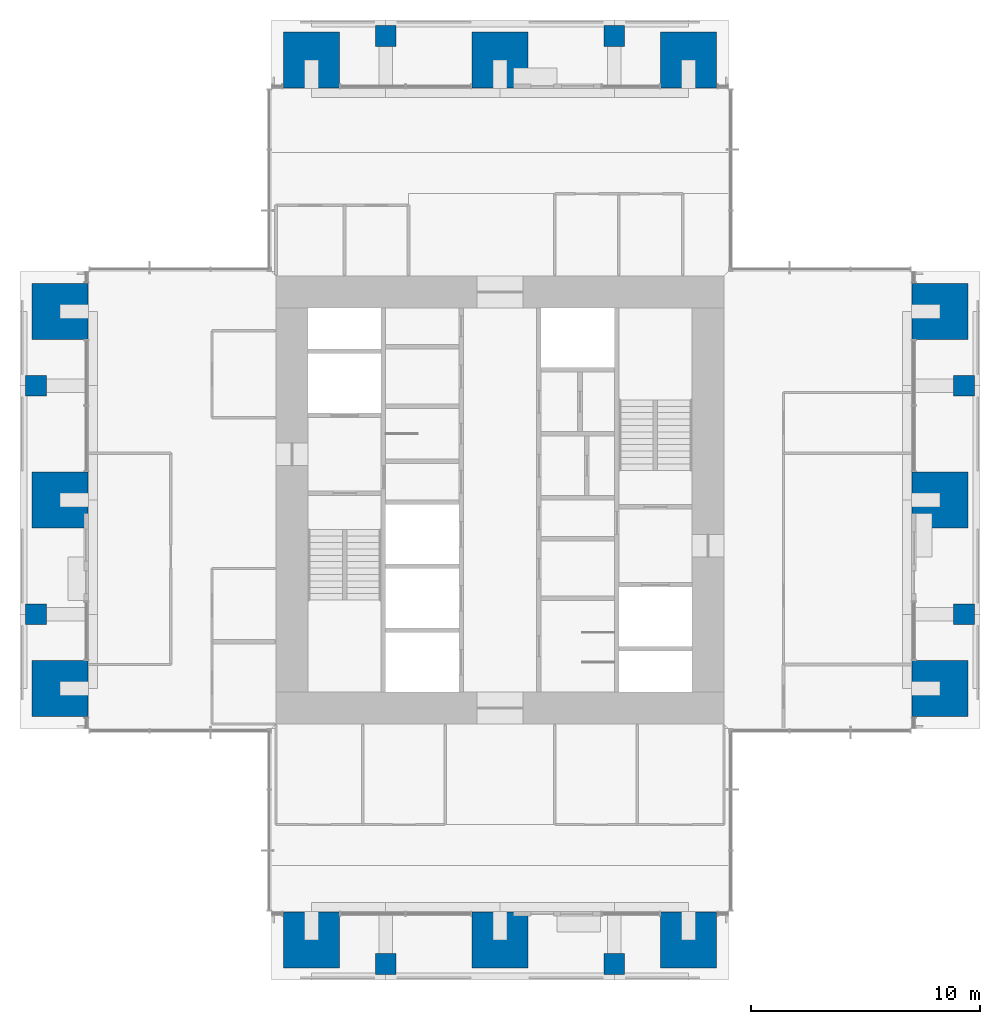
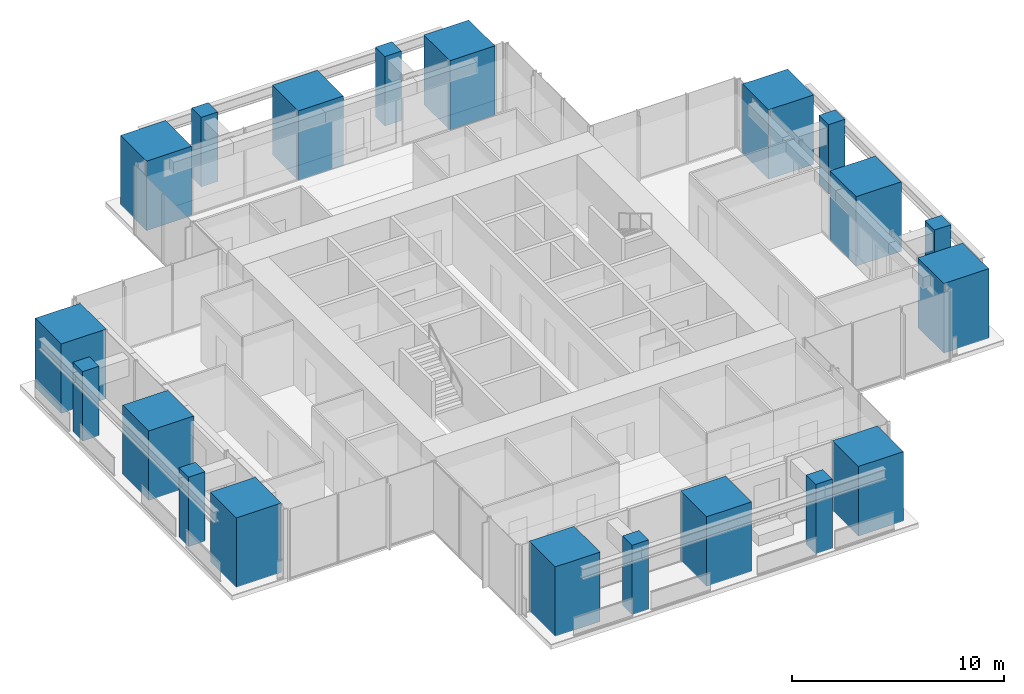
# One storey, part 1 of 17: 20 columns.
"""IFC4 building model written with IfcOpenShell, lengths in metres."""

from ifc_helpers import new_model, si_unit, direction, frame, origin, origin_2d, place, context, subcontext, project, spatial, rectangle, extrude, material, material_profile, profile_set, type_object, element, save


model = new_model("IFC4")

# Units and contexts
model_context = context("Model", 3, precision=1e-05, world=origin(), true_north=direction((0.0, 1.0)))
body_context = subcontext(model_context, "Body", "Model", "MODEL_VIEW")
ifc_project = project(units=[si_unit("LENGTHUNIT", "METRE"), si_unit("AREAUNIT", "SQUARE_METRE"), si_unit("VOLUMEUNIT", "CUBIC_METRE"), si_unit("PLANEANGLEUNIT", "RADIAN"), si_unit("MASSUNIT", "GRAM", prefix="KILO")], contexts=[model_context])

# Site, building, storey
site_placement = place(None, origin())
site = spatial("IfcSite", under=ifc_project, at=site_placement, CompositionType="ELEMENT")
building_placement = place(site_placement, origin())
building = spatial("IfcBuilding", under=site, at=building_placement, Name="Svetlomir Tower", CompositionType="ELEMENT")
storey_placement = place(building_placement, frame((0.0, 0.0, 202.5)))
storey = spatial("IfcBuildingStorey", under=building, at=storey_placement, Name="L48", CompositionType="ELEMENT", Elevation=202.5)

# Columns
ifc_material_1 = material(Name="Concrete C60/75", Category="concrete")
ifc_material_profile_1 = material_profile(ifc_material_1, rectangle(XDim=2.449951171875, YDim=2.449951171875, at=origin_2d()), Name="RC 2450x2450")
ifc_profile_set_1 = profile_set([ifc_material_profile_1], Name="Concrete C60/75")
column_type_1 = type_object("IfcColumnType", Name="COLUMN RC 2450x2450", PredefinedType="COLUMN", material=ifc_profile_set_1)
for number, where, z_axis, x_axis, name in (
    (1, (12.75, 1.75, 0.0), (0.0, 0.0, 1.0), (1.0, 0.0, 0.0), "Column 11/0 L48"),
    (2, (21.0, 1.75, 0.0), (0.0, 0.0, 1.0), (1.0, 0.0, 0.0), "Column 21/0 L48"),
    (3, (29.25, 1.75, 0.0), (0.0, 0.0, 1.0), (1.0, 0.0, 0.0), "Column 31/0 L48"),
    (4, (1.75, 12.75, 0.0), (0.0, 0.0, 1.0), (1.0, 0.0, 0.0), "Column 0/11 L48"),
    (5, (40.25, 12.75, 0.0), (0.0, 0.0, 1.0), (1.0, 0.0, 0.0), "Column 42/11 L48"),
    (6, (1.75, 21.0, 0.0), (0.0, 0.0, 1.0), (1.0, 0.0, 0.0), "Column 0/21 L48"),
    (7, (40.25, 21.0, 0.0), (0.0, 0.0, 1.0), (1.0, 0.0, 0.0), "Column 42/21 L48"),
    (8, (1.75, 29.25, 0.0), (0.0, 0.0, 1.0), (1.0, 0.0, 0.0), "Column 0/31 L48"),
    (9, (40.25, 29.25, 0.0), (0.0, 0.0, 1.0), (1.0, 0.0, 0.0), "Column 42/31 L48"),
    (10, (12.75, 40.25, 0.0), (0.0, 0.0, 1.0), (1.0, 0.0, 0.0), "Column 11/42 L48"),
    (11, (21.0, 40.25, 0.0), (0.0, 0.0, 1.0), (1.0, 0.0, 0.0), "Column 21/42 L48"),
    (12, (29.25, 40.25, 0.0), (0.0, 0.0, 1.0), (1.0, 0.0, 0.0), "Column 31/42 L48"),
):
    element("IfcColumn", number, at=place(storey_placement, frame(where, z_axis=z_axis, x_axis=x_axis)), inside=storey, type_object=column_type_1, Name=name, PredefinedType="COLUMN", context=body_context, shape_type="SweptSolid", body=[
        extrude(rectangle(XDim=2.449951171875, YDim=2.449951171875, at=origin_2d()), origin(), (0.0, 0.0, 1.0), 4.0),
    ])
ifc_material_2 = material(Name="Concrete C60/75", Category="concrete")
ifc_material_profile_2 = material_profile(ifc_material_2, rectangle(XDim=0.89990234375, YDim=0.89990234375, at=origin_2d()), Name="RC 900x900")
ifc_profile_set_2 = profile_set([ifc_material_profile_2], Name="Concrete C60/75")
column_type_2 = type_object("IfcColumnType", Name="COLUMN RC 900x900", PredefinedType="COLUMN", material=ifc_profile_set_2)
for number, where, z_axis, x_axis, name in (
    (13, (16.0, 0.699951171875, 0.0), (0.0, 0.0, 1.0), (1.0, 0.0, 0.0), "Column 16/0 L48"),
    (14, (26.0, 0.699951171875, 0.0), (0.0, 0.0, 1.0), (1.0, 0.0, 0.0), "Column 26/0 L48"),
    (15, (0.699951171875, 16.0, 0.0), (0.0, 0.0, 1.0), (1.0, 0.0, 0.0), "Column 0/16 L48"),
    (16, (41.300048828125, 16.0, 0.0), (0.0, 0.0, 1.0), (1.0, 0.0, 0.0), "Column 42/16 L48"),
    (17, (0.699951171875, 26.0, 0.0), (0.0, 0.0, 1.0), (1.0, 0.0, 0.0), "Column 0/26 L48"),
    (18, (41.300048828125, 26.0, 0.0), (0.0, 0.0, 1.0), (1.0, 0.0, 0.0), "Column 42/26 L48"),
    (19, (16.0, 41.300048828125, 0.0), (0.0, 0.0, 1.0), (1.0, 0.0, 0.0), "Column 16/42 L48"),
    (20, (26.0, 41.300048828125, 0.0), (0.0, 0.0, 1.0), (1.0, 0.0, 0.0), "Column 26/42 L48"),
):
    element("IfcColumn", number, at=place(storey_placement, frame(where, z_axis=z_axis, x_axis=x_axis)), inside=storey, type_object=column_type_2, Name=name, PredefinedType="COLUMN", context=body_context, shape_type="SweptSolid", body=[
        extrude(rectangle(XDim=0.89990234375, YDim=0.89990234375, at=origin_2d()), origin(), (0.0, 0.0, 1.0), 4.0),
    ])

save(model, "model.ifc")
